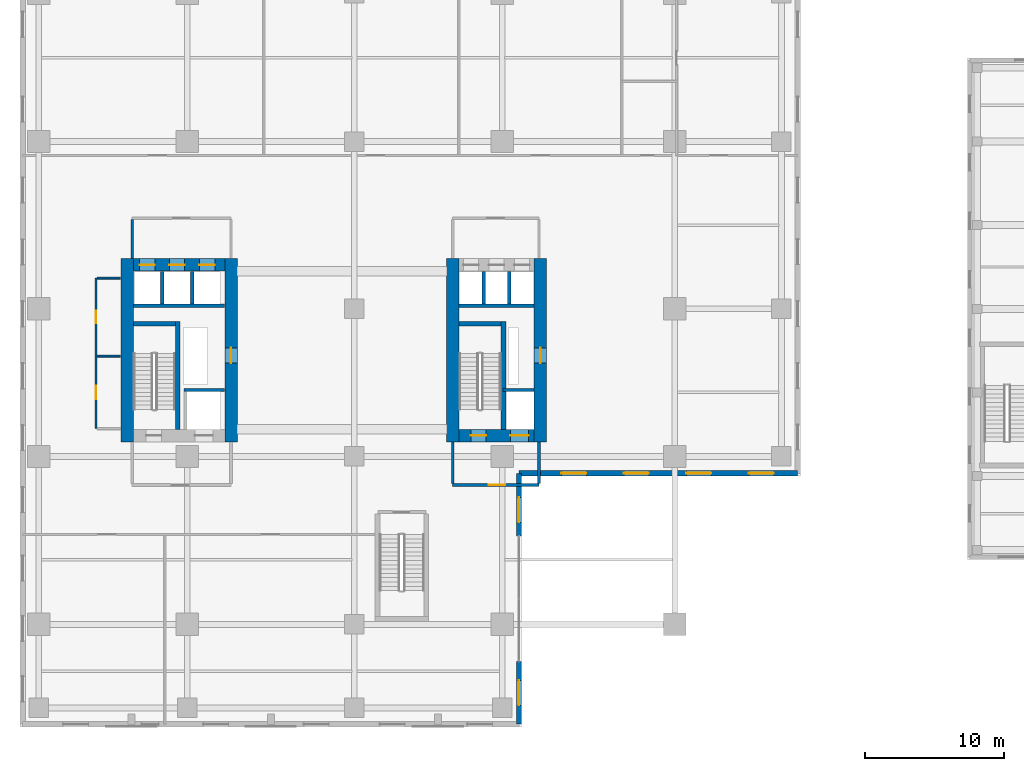
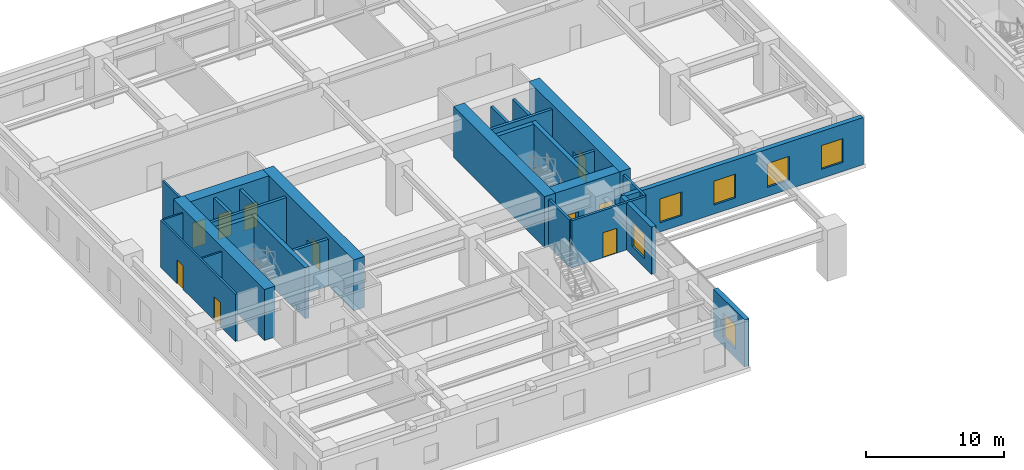
# One storey, part 19 of 26: 28 walls, 10 doors, 6 windows, 16 openings.
"""IFC4 building model written with IfcOpenShell, lengths in metres."""

from ifc_helpers import new_model, si_unit, direction, frame, frame_2d, origin, place, context, subcontext, project, spatial, rectangle, extrude, source, transform, mapped, material, layer, layer_set, type_object, element, fill, save


model = new_model("IFC4")

# Units and contexts
model_context = context("Model", 3, precision=1e-05, world=origin(), true_north=direction((0.0, 1.0)))
body_context = subcontext(model_context, "Body", "Model", "MODEL_VIEW")
ifc_project = project(units=[si_unit("LENGTHUNIT", "METRE"), si_unit("AREAUNIT", "SQUARE_METRE"), si_unit("VOLUMEUNIT", "CUBIC_METRE"), si_unit("PLANEANGLEUNIT", "RADIAN"), si_unit("MASSUNIT", "GRAM", prefix="KILO")], contexts=[model_context])

# Site, building, storey
site_placement = place(None, origin())
site = spatial("IfcSite", under=ifc_project, at=site_placement, CompositionType="ELEMENT")
building_placement = place(site_placement, origin())
building = spatial("IfcBuilding", under=site, at=building_placement, Name="Khoralis Quay Care Tower", CompositionType="ELEMENT")
storey_placement = place(building_placement, frame((0.0, 0.0, 4.5)))
storey = spatial("IfcBuildingStorey", under=building, at=storey_placement, Name="L01", CompositionType="ELEMENT", Elevation=4.5)

# Wall, opening, door
ifc_material_1 = material(Name="Gypsum plasterboard on acoustic metal stud")
ifc_layer_1 = layer(ifc_material_1, 0.199951171875)
ifc_layer_set_1 = layer_set([ifc_layer_1], Name="Gypsum plasterboard on acoustic metal stud")
wall_type_1 = type_object("IfcWallType", Name="WL-COMP-200", PredefinedType="PARTITIONING", material=ifc_layer_set_1)
wall_1_placement = place(storey_placement, frame((31.050048828125, 11.35009765625, 0.0), z_axis=(0.0, 0.0, 1.0), x_axis=(1.0, 0.0, 0.0)))
wall_1 = element("IfcWall", 1, at=wall_1_placement, inside=storey, type_object=wall_type_1, Name="L01 East Firefighting Lobby South Wall", PredefinedType="PARTITIONING", context=body_context, shape_type="SweptSolid", body=[
    extrude(rectangle(XDim=6.199951171875, YDim=0.199951171875, at=frame_2d((3.10009765625, 0.0))), origin(), (0.0, 0.0, 1.0), 4.159912109375),
])
opening_1_placement = place(wall_1_placement, frame((2.585693359375, 0.0, 0.0)))
opening_1 = element("IfcOpeningElement", 2, at=opening_1_placement, cuts=wall_1, Name="Opening FD1", PredefinedType="OPENING", context=body_context, shape_type="SweptSolid", body=[
    extrude(rectangle(XDim=1.199951171875, YDim=2.199951171875, at=frame_2d((0.60009765625, 1.10009765625))), frame((0.0, 0.10986328125, 0.0), z_axis=(0.0, -1.0, 0.0), x_axis=(1.0, 0.0, 0.0)), (0.0, 0.0, 1.0), 0.219970703125),
])
ifc_material_2 = material(Name="Fire-rated painted steel", Category="steel")
door_type_1 = type_object("IfcDoorType", Name="DR-FFL-1200X2200", OperationType="NOTDEFINED", PredefinedType="DOOR", material=ifc_material_2)
shared_shape_1 = source(origin(), body_context, "Body", "SweptSolid", [
    extrude(rectangle(XDim=1.199951171875, YDim=2.199951171875, at=frame_2d((0.60009765625, 1.10009765625))), frame((0.0, 0.02490234375, 0.0), z_axis=(0.0, -1.0, 0.0), x_axis=(1.0, 0.0, 0.0)), (0.0, 0.0, 1.0), 0.050048828125),
])
door_1_placement = place(opening_1_placement, origin())
door_1 = element("IfcDoor", 3, at=door_1_placement, inside=storey, type_object=door_type_1, Name="L01 East Firefighting Lobby Fire Door", OperationType="SINGLE_SWING_RIGHT", OverallHeight=2.199951171875, OverallWidth=1.199951171875, PredefinedType="DOOR", context=body_context, shape_type="MappedRepresentation", body=[
    mapped(shared_shape_1, transform((0.0, 0.0, 0.0), scale=1.0)),
])
fill(opening_1, door_1)

# Walls
for number, where, z_axis, x_axis, name in (
    (4, (31.050048828125, 11.445068359375, 0.0), (0.0, 0.0, 1.0), (0.0, 1.0, 0.0), "L01 East Firefighting Lobby West Wall"),
    (5, (37.25, 11.445068359375, 0.0), (0.0, 0.0, 1.0), (0.0, 1.0, 0.0), "L01 East Firefighting Lobby East Wall"),
):
    element("IfcWall", number, at=place(storey_placement, frame(where, z_axis=z_axis, x_axis=x_axis)), inside=storey, type_object=wall_type_1, Name=name, PredefinedType="PARTITIONING", context=body_context, shape_type="SweptSolid", body=[
        extrude(rectangle(XDim=2.98486328125, YDim=0.199951171875, at=frame_2d((1.492431640625, 0.0))), origin(), (0.0, 0.0, 1.0), 4.159912109375),
    ])
ifc_material_3 = material(Name="Concrete C80/95", Category="concrete")
ifc_layer_2 = layer(ifc_material_3, 0.89990234375)
ifc_layer_set_2 = layer_set([ifc_layer_2], Name="Concrete C80/95")
wall_type_2 = type_object("IfcWallType", Name="WL-CORE-900", PredefinedType="SHEAR", material=ifc_layer_set_2)
wall_2_placement = place(storey_placement, frame((7.699951171875, 14.449951171875, 0.0), z_axis=(0.0, 0.0, 1.0), x_axis=(0.0, 1.0, 0.0)))
element("IfcWall", 6, at=wall_2_placement, inside=storey, type_object=wall_type_2, Name="L01 WCORE West Shear Wall", PredefinedType="SHEAR", context=body_context, shape_type="SweptSolid", body=[
    extrude(rectangle(XDim=13.150146484375, YDim=0.89990234375, at=frame_2d((6.5751953125, 0.0))), origin(), (0.0, 0.0, 1.0), 4.5),
])

# Wall, opening, door
wall_3_placement = place(storey_placement, frame((15.14990234375, 14.449951171875, 0.0), z_axis=(0.0, 0.0, 1.0), x_axis=(0.0, 1.0, 0.0)))
wall_3 = element("IfcWall", 7, at=wall_3_placement, inside=storey, type_object=wall_type_2, Name="L01 WCORE East Shear Wall", PredefinedType="SHEAR", context=body_context, shape_type="SweptSolid", body=[
    extrude(rectangle(XDim=13.150146484375, YDim=0.89990234375, at=frame_2d((6.5751953125, 0.0))), origin(), (0.0, 0.0, 1.0), 4.5),
])
opening_2_placement = place(wall_3_placement, frame((5.64990234375, 0.0, 0.0)))
opening_2 = element("IfcOpeningElement", 8, at=opening_2_placement, cuts=wall_3, Name="Opening SD1", PredefinedType="OPENING", context=body_context, shape_type="SweptSolid", body=[
    extrude(rectangle(XDim=1.10009765625, YDim=2.199951171875, at=frame_2d((0.550048828125, 1.10009765625))), frame((0.0, 0.4599609375, 0.0), z_axis=(0.0, -1.0, 0.0), x_axis=(1.0, 0.0, 0.0)), (0.0, 0.0, 1.0), 0.919921875),
])
door_type_2 = type_object("IfcDoorType", Name="DR-STAIR-1100X2200", OperationType="NOTDEFINED", PredefinedType="DOOR", material=ifc_material_2)
shared_shape_2 = source(origin(), body_context, "Body", "SweptSolid", [
    extrude(rectangle(XDim=1.10009765625, YDim=2.199951171875, at=frame_2d((0.550048828125, 1.10009765625))), frame((0.0, 0.02490234375, 0.0), z_axis=(0.0, -1.0, 0.0), x_axis=(1.0, 0.0, 0.0)), (0.0, 0.0, 1.0), 0.050048828125),
])
door_2_placement = place(opening_2_placement, origin())
door_2 = element("IfcDoor", 9, at=door_2_placement, inside=storey, type_object=door_type_2, Name="L01 West MEP Riser Door", OperationType="SINGLE_SWING_LEFT", OverallHeight=2.199951171875, OverallWidth=1.10009765625, PredefinedType="DOOR", context=body_context, shape_type="MappedRepresentation", body=[
    mapped(shared_shape_2, transform((0.0, 0.0, 0.0), scale=1.0)),
])
fill(opening_2, door_2)

# Wall, openings, doors
wall_4_placement = place(storey_placement, frame((8.14990234375, 27.14990234375, 0.0), z_axis=(0.0, 0.0, 1.0), x_axis=(1.0, 0.0, 0.0)))
wall_4 = element("IfcWall", 10, at=wall_4_placement, inside=storey, type_object=wall_type_2, Name="L01 WCORE North Shear Wall", PredefinedType="SHEAR", context=body_context, shape_type="SweptSolid", body=[
    extrude(rectangle(XDim=6.550048828125, YDim=0.89990234375, at=frame_2d((3.27490234375, 0.0))), origin(), (0.0, 0.0, 1.0), 4.5),
])
opening_3_placement = place(wall_4_placement, frame((0.429931640625, 0.0, 0.0)))
opening_3 = element("IfcOpeningElement", 11, at=opening_3_placement, cuts=wall_4, Name="Opening LD1", PredefinedType="OPENING", context=body_context, shape_type="SweptSolid", body=[
    extrude(rectangle(XDim=1.10009765625, YDim=2.199951171875, at=frame_2d((0.550048828125, 1.10009765625))), frame((0.0, 0.4599609375, 0.0), z_axis=(0.0, -1.0, 0.0), x_axis=(1.0, 0.0, 0.0)), (0.0, 0.0, 1.0), 0.919921875),
])
opening_4_placement = place(wall_4_placement, frame((2.570068359375, 0.0, 0.0)))
opening_4 = element("IfcOpeningElement", 12, at=opening_4_placement, cuts=wall_4, Name="Opening LD1", PredefinedType="OPENING", context=body_context, shape_type="SweptSolid", body=[
    extrude(rectangle(XDim=1.10009765625, YDim=2.199951171875, at=frame_2d((0.550048828125, 1.10009765625))), frame((0.0, 0.4599609375, 0.0), z_axis=(0.0, -1.0, 0.0), x_axis=(1.0, 0.0, 0.0)), (0.0, 0.0, 1.0), 0.919921875),
])
opening_5_placement = place(wall_4_placement, frame((4.72998046875, 0.0, 0.0)))
opening_5 = element("IfcOpeningElement", 13, at=opening_5_placement, cuts=wall_4, Name="Opening LD1", PredefinedType="OPENING", context=body_context, shape_type="SweptSolid", body=[
    extrude(rectangle(XDim=1.10009765625, YDim=2.199951171875, at=frame_2d((0.550048828125, 1.10009765625))), frame((0.0, 0.4599609375, 0.0), z_axis=(0.0, -1.0, 0.0), x_axis=(1.0, 0.0, 0.0)), (0.0, 0.0, 1.0), 0.919921875),
])
ifc_material_4 = material(Name="Brushed stainless steel", Category="steel")
door_type_3 = type_object("IfcDoorType", Name="DR-LIFT-1100X2200", OperationType="SLIDING_TO_LEFT", PredefinedType="DOOR", material=ifc_material_4)
shared_shape_3 = source(origin(), body_context, "Body", "SweptSolid", [
    extrude(rectangle(XDim=1.10009765625, YDim=2.199951171875, at=frame_2d((0.550048828125, 1.10009765625))), frame((0.0, 0.02490234375, 0.0), z_axis=(0.0, -1.0, 0.0), x_axis=(1.0, 0.0, 0.0)), (0.0, 0.0, 1.0), 0.050048828125),
])
door_3_placement = place(opening_3_placement, origin())
door_3 = element("IfcDoor", 14, at=door_3_placement, inside=storey, type_object=door_type_3, Name="L01 Lift PLL1 Landing Door", OperationType="SLIDING_TO_LEFT", OverallHeight=2.199951171875, OverallWidth=1.10009765625, PredefinedType="DOOR", context=body_context, shape_type="MappedRepresentation", body=[
    mapped(shared_shape_3, transform((0.0, 0.0, 0.0), scale=1.0)),
])
fill(opening_3, door_3)
door_4_placement = place(opening_4_placement, origin())
door_4 = element("IfcDoor", 15, at=door_4_placement, inside=storey, type_object=door_type_3, Name="L01 Lift PLM1 Landing Door", OperationType="SLIDING_TO_LEFT", OverallHeight=2.199951171875, OverallWidth=1.10009765625, PredefinedType="DOOR", context=body_context, shape_type="MappedRepresentation", body=[
    mapped(shared_shape_3, transform((0.0, 0.0, 0.0), scale=1.0)),
])
fill(opening_4, door_4)
door_5_placement = place(opening_5_placement, origin())
door_5 = element("IfcDoor", 16, at=door_5_placement, inside=storey, type_object=door_type_3, Name="L01 Lift PLH1 Landing Door", OperationType="SLIDING_TO_LEFT", OverallHeight=2.199951171875, OverallWidth=1.10009765625, PredefinedType="DOOR", context=body_context, shape_type="MappedRepresentation", body=[
    mapped(shared_shape_3, transform((0.0, 0.0, 0.0), scale=1.0)),
])
fill(opening_5, door_5)

# Wall
wall_5_placement = place(storey_placement, frame((31.070068359375, 14.449951171875, 0.0), z_axis=(0.0, 0.0, 1.0), x_axis=(0.0, 1.0, 0.0)))
element("IfcWall", 17, at=wall_5_placement, inside=storey, type_object=wall_type_2, Name="L01 ECORE West Shear Wall", PredefinedType="SHEAR", context=body_context, shape_type="SweptSolid", body=[
    extrude(rectangle(XDim=13.150146484375, YDim=0.89990234375, at=frame_2d((6.5751953125, 0.0))), origin(), (0.0, 0.0, 1.0), 4.5),
])

# Wall, opening, door
wall_6_placement = place(storey_placement, frame((37.35009765625, 14.449951171875, 0.0), z_axis=(0.0, 0.0, 1.0), x_axis=(0.0, 1.0, 0.0)))
wall_6 = element("IfcWall", 18, at=wall_6_placement, inside=storey, type_object=wall_type_2, Name="L01 ECORE East Shear Wall", PredefinedType="SHEAR", context=body_context, shape_type="SweptSolid", body=[
    extrude(rectangle(XDim=13.150146484375, YDim=0.89990234375, at=frame_2d((6.5751953125, 0.0))), origin(), (0.0, 0.0, 1.0), 4.5),
])
opening_6_placement = place(wall_6_placement, frame((5.64990234375, 0.0, 0.0)))
opening_6 = element("IfcOpeningElement", 19, at=opening_6_placement, cuts=wall_6, Name="Opening SD1", PredefinedType="OPENING", context=body_context, shape_type="SweptSolid", body=[
    extrude(rectangle(XDim=1.10009765625, YDim=2.199951171875, at=frame_2d((0.550048828125, 1.10009765625))), frame((0.0, 0.4599609375, 0.0), z_axis=(0.0, -1.0, 0.0), x_axis=(1.0, 0.0, 0.0)), (0.0, 0.0, 1.0), 0.919921875),
])
door_6_placement = place(opening_6_placement, frame((1.10009765625, 0.0, 0.0), z_axis=(0.0, 0.0, 1.0), x_axis=(-1.0, 0.0, 0.0)))
door_6 = element("IfcDoor", 20, at=door_6_placement, inside=storey, type_object=door_type_2, Name="L01 East MEP Riser Door", OperationType="SINGLE_SWING_RIGHT", OverallHeight=2.199951171875, OverallWidth=1.10009765625, PredefinedType="DOOR", context=body_context, shape_type="MappedRepresentation", body=[
    mapped(shared_shape_2, transform((0.0, 0.0, 0.0), scale=1.0)),
])
fill(opening_6, door_6)

# Wall, openings, doors
wall_7_placement = place(storey_placement, frame((31.52001953125, 14.89990234375, 0.0), z_axis=(0.0, 0.0, 1.0), x_axis=(1.0, 0.0, 0.0)))
wall_7 = element("IfcWall", 21, at=wall_7_placement, inside=storey, type_object=wall_type_2, Name="L01 ECORE South Shear Wall", PredefinedType="SHEAR", context=body_context, shape_type="SweptSolid", body=[
    extrude(rectangle(XDim=5.3798828125, YDim=0.89990234375, at=frame_2d((2.68994140625, 0.0))), origin(), (0.0, 0.0, 1.0), 4.5),
])
opening_7_placement = place(wall_7_placement, frame((0.830078125, 0.0, 0.0)))
opening_7 = element("IfcOpeningElement", 22, at=opening_7_placement, cuts=wall_7, Name="Opening SD1", PredefinedType="OPENING", context=body_context, shape_type="SweptSolid", body=[
    extrude(rectangle(XDim=1.10009765625, YDim=2.199951171875, at=frame_2d((0.550048828125, 1.10009765625))), frame((0.0, 0.4599609375, 0.0), z_axis=(0.0, -1.0, 0.0), x_axis=(1.0, 0.0, 0.0)), (0.0, 0.0, 1.0), 0.919921875),
])
opening_8_placement = place(wall_7_placement, frame((3.679931640625, 0.0, 0.0)))
opening_8 = element("IfcOpeningElement", 23, at=opening_8_placement, cuts=wall_7, Name="Opening LD2", PredefinedType="OPENING", context=body_context, shape_type="SweptSolid", body=[
    extrude(rectangle(XDim=1.300048828125, YDim=2.199951171875, at=frame_2d((0.64990234375, 1.10009765625))), frame((0.0, 0.4599609375, 0.0), z_axis=(0.0, -1.0, 0.0), x_axis=(1.0, 0.0, 0.0)), (0.0, 0.0, 1.0), 0.919921875),
])
door_7_placement = place(opening_7_placement, origin())
door_7 = element("IfcDoor", 24, at=door_7_placement, inside=storey, type_object=door_type_2, Name="L01 Stair ST-T2 Fire Door", OperationType="SINGLE_SWING_RIGHT", OverallHeight=2.199951171875, OverallWidth=1.10009765625, PredefinedType="DOOR", context=body_context, shape_type="MappedRepresentation", body=[
    mapped(shared_shape_2, transform((0.0, 0.0, 0.0), scale=1.0)),
])
fill(opening_7, door_7)
door_type_4 = type_object("IfcDoorType", Name="DR-LIFT-1300X2200", OperationType="SLIDING_TO_RIGHT", PredefinedType="DOOR", material=ifc_material_4)
shared_shape_4 = source(origin(), body_context, "Body", "SweptSolid", [
    extrude(rectangle(XDim=1.300048828125, YDim=2.199951171875, at=frame_2d((0.64990234375, 1.10009765625))), frame((0.0, 0.02490234375, 0.0), z_axis=(0.0, -1.0, 0.0), x_axis=(1.0, 0.0, 0.0)), (0.0, 0.0, 1.0), 0.050048828125),
])
door_8_placement = place(opening_8_placement, origin())
door_8 = element("IfcDoor", 25, at=door_8_placement, inside=storey, type_object=door_type_4, Name="L01 Firefighting Lift FFL-2 Landing Door", OperationType="SLIDING_TO_RIGHT", OverallHeight=2.199951171875, OverallWidth=1.300048828125, PredefinedType="DOOR", context=body_context, shape_type="MappedRepresentation", body=[
    mapped(shared_shape_4, transform((0.0, 0.0, 0.0), scale=1.0)),
])
fill(opening_8, door_8)

# Wall
ifc_layer_3 = layer(ifc_material_1, 0.1650390625)
ifc_layer_set_3 = layer_set([ifc_layer_3], Name="Gypsum plasterboard on acoustic metal stud")
wall_type_3 = type_object("IfcWallType", Name="WL-CORR-165", PredefinedType="PARTITIONING", material=ifc_layer_set_3)
wall_8_placement = place(storey_placement, frame((8.050048828125, 27.6201171875, 0.0), z_axis=(0.0, 0.0, 1.0), x_axis=(0.0, 1.0, 0.0)))
element("IfcWall", 26, at=wall_8_placement, inside=storey, type_object=wall_type_3, Name="L01 West Lift Lobby West Wall", PredefinedType="PARTITIONING", context=body_context, shape_type="SweptSolid", body=[
    extrude(rectangle(XDim=2.802490234375, YDim=0.1650390625, at=frame_2d((1.4013671875, 0.0))), origin(), (0.0, 0.0, 1.0), 4.159912109375),
])

# Wall, openings, doors
wall_9_placement = place(storey_placement, frame((5.449951171875, 15.39990234375, 0.0), z_axis=(0.0, 0.0, 1.0), x_axis=(0.0, 1.0, 0.0)))
wall_9 = element("IfcWall", 27, at=wall_9_placement, inside=storey, type_object=wall_type_3, Name="L01 West Core Service Flank Wall", PredefinedType="PARTITIONING", context=body_context, shape_type="SweptSolid", body=[
    extrude(rectangle(XDim=10.800048828125, YDim=0.1650390625, at=frame_2d((5.39990234375, 0.0))), origin(), (0.0, 0.0, 1.0), 4.159912109375),
])
opening_9_placement = place(wall_9_placement, frame((2.125, 0.0, 0.0)))
opening_9 = element("IfcOpeningElement", 28, at=opening_9_placement, cuts=wall_9, Name="Opening ID1", PredefinedType="OPENING", context=body_context, shape_type="SweptSolid", body=[
    extrude(rectangle(XDim=0.949951171875, YDim=2.10009765625, at=frame_2d((0.47509765625, 1.050048828125))), frame((0.0, 0.092529296875, 0.0), z_axis=(0.0, -1.0, 0.0), x_axis=(1.0, 0.0, 0.0)), (0.0, 0.0, 1.0), 0.18505859375),
])
opening_10_placement = place(wall_9_placement, frame((7.550048828125, 0.0, 0.0)))
opening_10 = element("IfcOpeningElement", 29, at=opening_10_placement, cuts=wall_9, Name="Opening WD1", PredefinedType="OPENING", context=body_context, shape_type="SweptSolid", body=[
    extrude(rectangle(XDim=0.89990234375, YDim=2.10009765625, at=frame_2d((0.449951171875, 1.050048828125))), frame((0.0, 0.092529296875, 0.0), z_axis=(0.0, -1.0, 0.0), x_axis=(1.0, 0.0, 0.0)), (0.0, 0.0, 1.0), 0.18505859375),
])
ifc_material_5 = material(Name="Acoustic hardwood timber", Category="wood")
door_type_5 = type_object("IfcDoorType", Name="DR-BATH-900X2100", OperationType="NOTDEFINED", PredefinedType="DOOR", material=ifc_material_5)
shared_shape_5 = source(origin(), body_context, "Body", "SweptSolid", [
    extrude(rectangle(XDim=0.89990234375, YDim=2.10009765625, at=frame_2d((0.449951171875, 1.050048828125))), frame((0.0, 0.02490234375, 0.0), z_axis=(0.0, -1.0, 0.0), x_axis=(1.0, 0.0, 0.0)), (0.0, 0.0, 1.0), 0.050048828125),
])
door_9_placement = place(opening_10_placement, frame((0.89990234375, 0.0, 0.0), z_axis=(0.0, 0.0, 1.0), x_axis=(-1.0, 0.0, 0.0)))
door_9 = element("IfcDoor", 30, at=door_9_placement, inside=storey, type_object=door_type_5, Name="L01 Public Accessible WC Door", OperationType="SINGLE_SWING_LEFT", OverallHeight=2.10009765625, OverallWidth=0.89990234375, PredefinedType="DOOR", context=body_context, shape_type="MappedRepresentation", body=[
    mapped(shared_shape_5, transform((0.0, 0.0, 0.0), scale=1.0)),
])
fill(opening_10, door_9)
door_type_6 = type_object("IfcDoorType", Name="DR-ROOM-950X2100", OperationType="NOTDEFINED", PredefinedType="DOOR", material=ifc_material_5)
shared_shape_6 = source(origin(), body_context, "Body", "SweptSolid", [
    extrude(rectangle(XDim=0.949951171875, YDim=2.10009765625, at=frame_2d((0.47509765625, 1.050048828125))), frame((0.0, 0.02490234375, 0.0), z_axis=(0.0, -1.0, 0.0), x_axis=(1.0, 0.0, 0.0)), (0.0, 0.0, 1.0), 0.050048828125),
])
door_10_placement = place(opening_9_placement, frame((0.949951171875, 0.0, 0.0), z_axis=(0.0, 0.0, 1.0), x_axis=(-1.0, 0.0, 0.0)))
door_10 = element("IfcDoor", 31, at=door_10_placement, inside=storey, type_object=door_type_6, Name="L01 Housekeeping Linen Store Door", OperationType="SINGLE_SWING_RIGHT", OverallHeight=2.10009765625, OverallWidth=0.949951171875, PredefinedType="DOOR", context=body_context, shape_type="MappedRepresentation", body=[
    mapped(shared_shape_6, transform((0.0, 0.0, 0.0), scale=1.0)),
])
fill(opening_9, door_10)

# Wall, opening, window
ifc_material_6 = material(Name="Precast concrete C45/55", Category="concrete")
ifc_layer_4 = layer(ifc_material_6, 0.3798828125)
ifc_layer_set_4 = layer_set([ifc_layer_4], Name="Precast concrete C45/55")
wall_type_4 = type_object("IfcWallType", Name="WL-EXT-POD-380", PredefinedType="SOLIDWALL", material=ifc_layer_set_4)
wall_10_placement = place(storey_placement, frame((35.81005859375, -5.81005859375, 0.0), z_axis=(0.0, 0.0, 1.0), x_axis=(0.0, 1.0, 0.0)))
wall_10 = element("IfcWall", 32, at=wall_10_placement, inside=storey, type_object=wall_type_4, Name="L01 External Facade Wall WL-POD-L01-E1A", PredefinedType="SOLIDWALL", context=body_context, shape_type="SweptSolid", body=[
    extrude(rectangle(XDim=4.5, YDim=0.3798828125, at=frame_2d((2.25, 0.0))), origin(), (0.0, 0.0, 1.0), 4.159912109375),
])
opening_11_placement = place(wall_10_placement, frame((1.35009765625, 0.0, 0.800048828125)))
opening_11 = element("IfcOpeningElement", 33, at=opening_11_placement, cuts=wall_10, Name="Opening W2", PredefinedType="OPENING", context=body_context, shape_type="SweptSolid", body=[
    extrude(rectangle(XDim=1.800048828125, YDim=2.10009765625, at=frame_2d((0.89990234375, 1.050048828125))), frame((0.0, 0.199951171875, 0.0), z_axis=(0.0, -1.0, 0.0), x_axis=(1.0, 0.0, 0.0)), (0.0, 0.0, 1.0), 0.39990234375),
])
ifc_material_7 = material(Name="Low-E solar-control double glazing", Category="glass")
window_type = type_object("IfcWindowType", Name="WN-POD-1800X2100", PartitioningType="SINGLE_PANEL", PredefinedType="WINDOW", material=ifc_material_7)
shared_shape_7 = source(origin(), body_context, "Body", "SweptSolid", [
    extrude(rectangle(XDim=1.800048828125, YDim=2.10009765625, at=frame_2d((0.89990234375, 1.050048828125))), frame((0.0, 0.030029296875, 0.0), z_axis=(0.0, -1.0, 0.0), x_axis=(1.0, 0.0, 0.0)), (0.0, 0.0, 1.0), 0.06005859375),
])
window_1_placement = place(opening_11_placement, origin())
window_1 = element("IfcWindow", 34, at=window_1_placement, inside=storey, type_object=window_type, Name="WN-POD-L01-1A Facade Window 01", OverallHeight=2.10009765625, OverallWidth=1.800048828125, PartitioningType="SINGLE_PANEL", PredefinedType="WINDOW", context=body_context, shape_type="MappedRepresentation", body=[
    mapped(shared_shape_7, transform((0.0, 0.0, 0.0), scale=1.0)),
])
fill(opening_11, window_1)

wall_11_placement = place(storey_placement, frame((35.81005859375, 7.68994140625, 0.0), z_axis=(0.0, 0.0, 1.0), x_axis=(0.0, 1.0, 0.0)))
wall_11 = element("IfcWall", 35, at=wall_11_placement, inside=storey, type_object=wall_type_4, Name="L01 External Facade Wall WL-POD-L01-E1B", PredefinedType="SOLIDWALL", context=body_context, shape_type="SweptSolid", body=[
    extrude(rectangle(XDim=4.5, YDim=0.3798828125, at=frame_2d((2.25, 0.0))), origin(), (0.0, 0.0, 1.0), 4.159912109375),
])
opening_12_placement = place(wall_11_placement, frame((0.97998046875, 0.0, 0.800048828125)))
opening_12 = element("IfcOpeningElement", 36, at=opening_12_placement, cuts=wall_11, Name="Opening W2", PredefinedType="OPENING", context=body_context, shape_type="SweptSolid", body=[
    extrude(rectangle(XDim=1.800048828125, YDim=2.10009765625, at=frame_2d((0.89990234375, 1.050048828125))), frame((0.0, 0.199951171875, 0.0), z_axis=(0.0, -1.0, 0.0), x_axis=(1.0, 0.0, 0.0)), (0.0, 0.0, 1.0), 0.39990234375),
])
window_2_placement = place(opening_12_placement, origin())
window_2 = element("IfcWindow", 37, at=window_2_placement, inside=storey, type_object=window_type, Name="WN-POD-L01-1B Facade Window 01", OverallHeight=2.10009765625, OverallWidth=1.800048828125, PartitioningType="SINGLE_PANEL", PredefinedType="WINDOW", context=body_context, shape_type="MappedRepresentation", body=[
    mapped(shared_shape_7, transform((0.0, 0.0, 0.0), scale=1.0)),
])
fill(opening_12, window_2)

# Wall, openings, windows
wall_12_placement = place(storey_placement, frame((35.81005859375, 12.18994140625, 0.0), z_axis=(0.0, 0.0, 1.0), x_axis=(1.0, 0.0, 0.0)))
wall_12 = element("IfcWall", 38, at=wall_12_placement, inside=storey, type_object=wall_type_4, Name="L01 External Facade Wall WL-POD-L01-E2", PredefinedType="SOLIDWALL", context=body_context, shape_type="SweptSolid", body=[
    extrude(rectangle(XDim=20.0, YDim=0.3798828125, at=frame_2d((10.0, 0.0))), origin(), (0.0, 0.0, 1.0), 4.159912109375),
])
opening_13_placement = place(wall_12_placement, frame((3.04248046875, 0.0, 0.800048828125)))
opening_13 = element("IfcOpeningElement", 39, at=opening_13_placement, cuts=wall_12, Name="Opening W2", PredefinedType="OPENING", context=body_context, shape_type="SweptSolid", body=[
    extrude(rectangle(XDim=1.800048828125, YDim=2.10009765625, at=frame_2d((0.89990234375, 1.050048828125))), frame((0.0, 0.199951171875, 0.0), z_axis=(0.0, -1.0, 0.0), x_axis=(1.0, 0.0, 0.0)), (0.0, 0.0, 1.0), 0.39990234375),
])
opening_14_placement = place(wall_12_placement, frame((7.527587890625, 0.0, 0.800048828125)))
opening_14 = element("IfcOpeningElement", 40, at=opening_14_placement, cuts=wall_12, Name="Opening W2", PredefinedType="OPENING", context=body_context, shape_type="SweptSolid", body=[
    extrude(rectangle(XDim=1.800048828125, YDim=2.10009765625, at=frame_2d((0.89990234375, 1.050048828125))), frame((0.0, 0.199951171875, 0.0), z_axis=(0.0, -1.0, 0.0), x_axis=(1.0, 0.0, 0.0)), (0.0, 0.0, 1.0), 0.39990234375),
])
opening_15_placement = place(wall_12_placement, frame((12.012451171875, 0.0, 0.800048828125)))
opening_15 = element("IfcOpeningElement", 41, at=opening_15_placement, cuts=wall_12, Name="Opening W2", PredefinedType="OPENING", context=body_context, shape_type="SweptSolid", body=[
    extrude(rectangle(XDim=1.800048828125, YDim=2.10009765625, at=frame_2d((0.89990234375, 1.050048828125))), frame((0.0, 0.199951171875, 0.0), z_axis=(0.0, -1.0, 0.0), x_axis=(1.0, 0.0, 0.0)), (0.0, 0.0, 1.0), 0.39990234375),
])
opening_16_placement = place(wall_12_placement, frame((16.49755859375, 0.0, 0.800048828125)))
opening_16 = element("IfcOpeningElement", 42, at=opening_16_placement, cuts=wall_12, Name="Opening W2", PredefinedType="OPENING", context=body_context, shape_type="SweptSolid", body=[
    extrude(rectangle(XDim=1.800048828125, YDim=2.10009765625, at=frame_2d((0.89990234375, 1.050048828125))), frame((0.0, 0.199951171875, 0.0), z_axis=(0.0, -1.0, 0.0), x_axis=(1.0, 0.0, 0.0)), (0.0, 0.0, 1.0), 0.39990234375),
])
window_3_placement = place(opening_13_placement, origin())
window_3 = element("IfcWindow", 43, at=window_3_placement, inside=storey, type_object=window_type, Name="WN-POD-L01-E2 Facade Window 01", OverallHeight=2.10009765625, OverallWidth=1.800048828125, PartitioningType="SINGLE_PANEL", PredefinedType="WINDOW", context=body_context, shape_type="MappedRepresentation", body=[
    mapped(shared_shape_7, transform((0.0, 0.0, 0.0), scale=1.0)),
])
fill(opening_13, window_3)
window_4_placement = place(opening_14_placement, origin())
window_4 = element("IfcWindow", 44, at=window_4_placement, inside=storey, type_object=window_type, Name="WN-POD-L01-E2 Facade Window 02", OverallHeight=2.10009765625, OverallWidth=1.800048828125, PartitioningType="SINGLE_PANEL", PredefinedType="WINDOW", context=body_context, shape_type="MappedRepresentation", body=[
    mapped(shared_shape_7, transform((0.0, 0.0, 0.0), scale=1.0)),
])
fill(opening_14, window_4)
window_5_placement = place(opening_15_placement, origin())
window_5 = element("IfcWindow", 45, at=window_5_placement, inside=storey, type_object=window_type, Name="WN-POD-L01-E2 Facade Window 03", OverallHeight=2.10009765625, OverallWidth=1.800048828125, PartitioningType="SINGLE_PANEL", PredefinedType="WINDOW", context=body_context, shape_type="MappedRepresentation", body=[
    mapped(shared_shape_7, transform((0.0, 0.0, 0.0), scale=1.0)),
])
fill(opening_15, window_5)
window_6_placement = place(opening_16_placement, origin())
window_6 = element("IfcWindow", 46, at=window_6_placement, inside=storey, type_object=window_type, Name="WN-POD-L01-E2 Facade Window 04", OverallHeight=2.10009765625, OverallWidth=1.800048828125, PartitioningType="SINGLE_PANEL", PredefinedType="WINDOW", context=body_context, shape_type="MappedRepresentation", body=[
    mapped(shared_shape_7, transform((0.0, 0.0, 0.0), scale=1.0)),
])
fill(opening_16, window_6)

# Walls
ifc_material_8 = material(Name="Moisture-resistant gypsum and ceramic tile")
ifc_layer_5 = layer(ifc_material_8, 0.280029296875)
ifc_layer_set_5 = layer_set([ifc_layer_5], Name="Moisture-resistant gypsum and ceramic tile")
wall_type_5 = type_object("IfcWallType", Name="WL-PLUMB-280", PredefinedType="PLUMBINGWALL", material=ifc_layer_set_5)
wall_13_placement = place(storey_placement, frame((5.527587890625, 20.60009765625, 0.0), z_axis=(0.0, 0.0, 1.0), x_axis=(1.0, 0.0, 0.0)))
element("IfcWall", 47, at=wall_13_placement, inside=storey, type_object=wall_type_5, Name="L01 West Flank Divider 1", PredefinedType="PLUMBINGWALL", context=body_context, shape_type="SweptSolid", body=[
    extrude(rectangle(XDim=1.682373046875, YDim=0.139892578125, at=frame_2d((0.84130859375, 0.0))), origin(), (0.0, 0.0, 1.0), 4.159912109375),
])
ifc_material_9 = material(Name="Concrete C40/50", Category="concrete")
ifc_layer_6 = layer(ifc_material_9, 0.35009765625)
ifc_layer_set_6 = layer_set([ifc_layer_6], Name="Concrete C40/50")
wall_type_6 = type_object("IfcWallType", Name="WL-SC-CORE-350", PredefinedType="SHEAR", material=ifc_layer_set_6)
wall_14_placement = place(storey_placement, frame((11.324951171875, 15.35009765625, 0.0), z_axis=(0.0, 0.0, 1.0), x_axis=(0.0, 1.0, 0.0)))
element("IfcWall", 48, at=wall_14_placement, inside=storey, type_object=wall_type_6, Name="L01 Stair ST-T1 Shear Baffle Wall East", PredefinedType="SHEAR", context=body_context, shape_type="SweptSolid", body=[
    extrude(rectangle(XDim=7.75, YDim=0.35009765625, at=frame_2d((3.875, 0.0))), origin(), (0.0, 0.0, 1.0), 4.5),
])
wall_15_placement = place(storey_placement, frame((8.14990234375, 22.925048828125, 0.0), z_axis=(0.0, 0.0, 1.0), x_axis=(1.0, 0.0, 0.0)))
element("IfcWall", 49, at=wall_15_placement, inside=storey, type_object=wall_type_6, Name="L01 Stair ST-T1 Shear Baffle Wall North", PredefinedType="SHEAR", context=body_context, shape_type="SweptSolid", body=[
    extrude(rectangle(XDim=3.0, YDim=0.35009765625, at=frame_2d((1.5, 0.0))), origin(), (0.0, 0.0, 1.0), 4.5),
])
wall_16_placement = place(storey_placement, frame((34.695068359375, 15.35009765625, 0.0), z_axis=(0.0, 0.0, 1.0), x_axis=(0.0, 1.0, 0.0)))
element("IfcWall", 50, at=wall_16_placement, inside=storey, type_object=wall_type_6, Name="L01 Stair ST-T2 Shear Baffle Wall East", PredefinedType="SHEAR", context=body_context, shape_type="SweptSolid", body=[
    extrude(rectangle(XDim=7.75, YDim=0.35009765625, at=frame_2d((3.875, 0.0))), origin(), (0.0, 0.0, 1.0), 4.5),
])
wall_17_placement = place(storey_placement, frame((31.52001953125, 22.925048828125, 0.0), z_axis=(0.0, 0.0, 1.0), x_axis=(1.0, 0.0, 0.0)))
element("IfcWall", 51, at=wall_17_placement, inside=storey, type_object=wall_type_6, Name="L01 Stair ST-T2 Shear Baffle Wall North", PredefinedType="SHEAR", context=body_context, shape_type="SweptSolid", body=[
    extrude(rectangle(XDim=3.0, YDim=0.35009765625, at=frame_2d((1.5, 0.0))), origin(), (0.0, 0.0, 1.0), 4.5),
])
ifc_layer_7 = layer(ifc_material_1, 0.239990234375)
ifc_layer_set_7 = layer_set([ifc_layer_7], Name="Gypsum plasterboard on acoustic metal stud")
wall_type_7 = type_object("IfcWallType", Name="WL-SHAFT-240", PredefinedType="PARTITIONING", material=ifc_layer_set_7)
wall_18_placement = place(storey_placement, frame((11.760009765625, 18.169921875, 0.0), z_axis=(0.0, 0.0, 1.0), x_axis=(1.0, 0.0, 0.0)))
element("IfcWall", 52, at=wall_18_placement, inside=storey, type_object=wall_type_7, Name="L01 FFL-1 Shaft Wall North", PredefinedType="PARTITIONING", context=body_context, shape_type="SweptSolid", body=[
    extrude(rectangle(XDim=2.919921875, YDim=0.239990234375, at=frame_2d((1.4599609375, 0.0))), origin(), (0.0, 0.0, 1.0), 4.159912109375),
])
wall_19_placement = place(storey_placement, frame((34.679931640625, 18.169921875, 0.0), z_axis=(0.0, 0.0, 1.0), x_axis=(1.0, 0.0, 0.0)))
element("IfcWall", 53, at=wall_19_placement, inside=storey, type_object=wall_type_7, Name="L01 FFL-2 Shaft Wall North", PredefinedType="PARTITIONING", context=body_context, shape_type="SweptSolid", body=[
    extrude(rectangle(XDim=2.199951171875, YDim=0.239990234375, at=frame_2d((1.10009765625, 0.0))), origin(), (0.0, 0.0, 1.0), 4.159912109375),
])
wall_20_placement = place(storey_placement, frame((8.14990234375, 24.22998046875, 0.0), z_axis=(0.0, 0.0, 1.0), x_axis=(1.0, 0.0, 0.0)))
element("IfcWall", 54, at=wall_20_placement, inside=storey, type_object=wall_type_7, Name="L01 West Passenger Shaft South Wall", PredefinedType="PARTITIONING", context=body_context, shape_type="SweptSolid", body=[
    extrude(rectangle(XDim=6.530029296875, YDim=0.239990234375, at=frame_2d((3.26513671875, 0.0))), origin(), (0.0, 0.0, 1.0), 4.159912109375),
])
for number, where, z_axis, x_axis, name in (
    (55, (10.199951171875, 24.344970703125, 0.0), (0.0, 0.0, 1.0), (0.0, 1.0, 0.0), "L01 West Shaft Divider 1"),
    (56, (12.35009765625, 24.344970703125, 0.0), (0.0, 0.0, 1.0), (0.0, 1.0, 0.0), "L01 West Shaft Divider 2"),
):
    element("IfcWall", number, at=place(storey_placement, frame(where, z_axis=z_axis, x_axis=x_axis)), inside=storey, type_object=wall_type_7, Name=name, PredefinedType="PARTITIONING", context=body_context, shape_type="SweptSolid", body=[
        extrude(rectangle(XDim=2.3349609375, YDim=0.239990234375, at=frame_2d((1.16748046875, 0.0))), origin(), (0.0, 0.0, 1.0), 4.159912109375),
    ])
wall_21_placement = place(storey_placement, frame((31.52001953125, 24.22998046875, 0.0), z_axis=(0.0, 0.0, 1.0), x_axis=(1.0, 0.0, 0.0)))
element("IfcWall", 57, at=wall_21_placement, inside=storey, type_object=wall_type_7, Name="L01 East Passenger Shaft South Wall", PredefinedType="PARTITIONING", context=body_context, shape_type="SweptSolid", body=[
    extrude(rectangle(XDim=5.35986328125, YDim=0.239990234375, at=frame_2d((2.679931640625, 0.0))), origin(), (0.0, 0.0, 1.0), 4.159912109375),
])
for number, where, z_axis, x_axis, name in (
    (58, (33.2900390625, 24.344970703125, 0.0), (0.0, 0.0, 1.0), (0.0, 1.0, 0.0), "L01 East Shaft Divider 1"),
    (59, (35.110107421875, 24.344970703125, 0.0), (0.0, 0.0, 1.0), (0.0, 1.0, 0.0), "L01 East Shaft Divider 2"),
):
    element("IfcWall", number, at=place(storey_placement, frame(where, z_axis=z_axis, x_axis=x_axis)), inside=storey, type_object=wall_type_7, Name=name, PredefinedType="PARTITIONING", context=body_context, shape_type="SweptSolid", body=[
        extrude(rectangle(XDim=2.3349609375, YDim=0.239990234375, at=frame_2d((1.16748046875, 0.0))), origin(), (0.0, 0.0, 1.0), 4.159912109375),
    ])
ifc_layer_8 = layer(ifc_material_1, 0.139892578125)
ifc_layer_set_8 = layer_set([ifc_layer_8], Name="Gypsum plasterboard on acoustic metal stud")
wall_type_8 = type_object("IfcWallType", Name="WL-UNIT-140", PredefinedType="PARTITIONING", material=ifc_layer_set_8)
wall_22_placement = place(storey_placement, frame((5.527587890625, 26.199951171875, 0.0), z_axis=(0.0, 0.0, 1.0), x_axis=(1.0, 0.0, 0.0)))
element("IfcWall", 60, at=wall_22_placement, inside=storey, type_object=wall_type_8, Name="L01 West Flank North Cap", PredefinedType="PARTITIONING", context=body_context, shape_type="SweptSolid", body=[
    extrude(rectangle(XDim=1.682373046875, YDim=0.139892578125, at=frame_2d((0.84130859375, 0.0))), origin(), (0.0, 0.0, 1.0), 4.159912109375),
])

save(model, "model.ifc")
